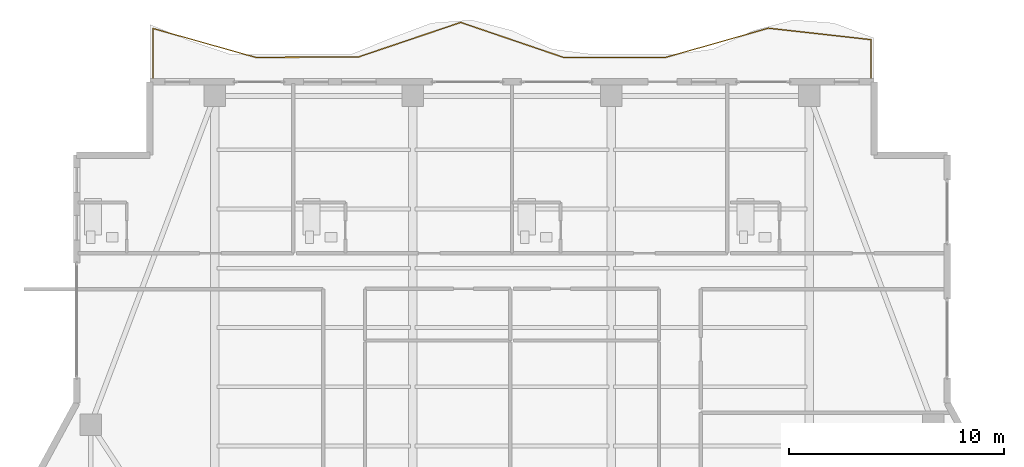
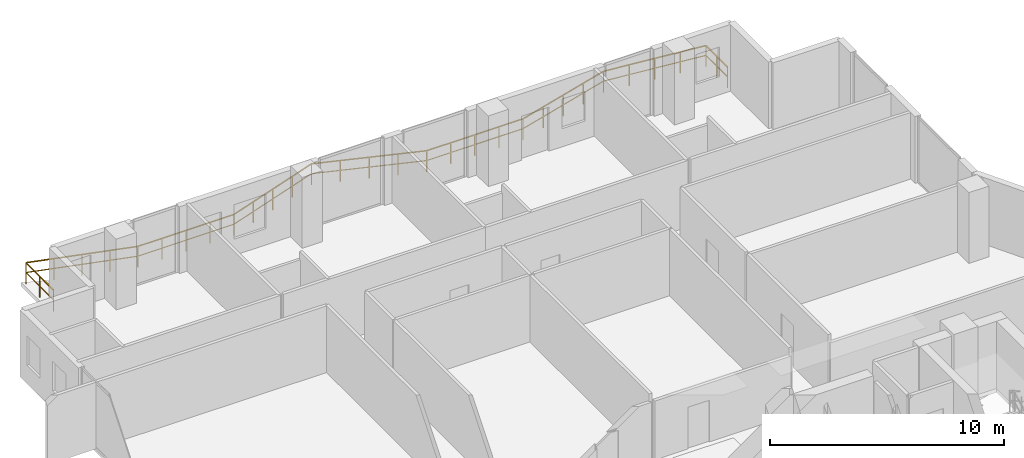
# One storey, part 24 of 25: 1 railing.
"""IFC4 building model written with IfcOpenShell, lengths in metres."""

from ifc_helpers import new_model, si_unit, direction, frame, origin, origin_2d, place, context, subcontext, project, spatial, rectangle, extrude, material, type_object, element, save


model = new_model("IFC4")

# Units and contexts
model_context = context("Model", 3, precision=1e-05, world=origin(), true_north=direction((0.0, 1.0)))
body_context = subcontext(model_context, "Body", "Model", "MODEL_VIEW")
ifc_project = project(units=[si_unit("LENGTHUNIT", "METRE"), si_unit("AREAUNIT", "SQUARE_METRE"), si_unit("VOLUMEUNIT", "CUBIC_METRE"), si_unit("PLANEANGLEUNIT", "RADIAN"), si_unit("MASSUNIT", "GRAM", prefix="KILO")], contexts=[model_context])

# Site, building, storey
site_placement = place(None, origin())
site = spatial("IfcSite", under=ifc_project, at=site_placement, CompositionType="ELEMENT")
building_placement = place(site_placement, origin())
building = spatial("IfcBuilding", under=site, at=building_placement, Name="Zuhayl Quay Hotel", CompositionType="ELEMENT")
storey_placement = place(building_placement, frame((0.0, 0.0, 250.75)))
storey = spatial("IfcBuildingStorey", under=building, at=storey_placement, Name="L63", CompositionType="ELEMENT", Elevation=250.75)

# Railing
ifc_material = material(Name="Anodised Aluminium and Laminated Glass", Category="aluminium")
railing_type = type_object("IfcRailingType", Name="RL_EXT_BAL_1100", PredefinedType="BALUSTRADE", material=ifc_material)
railing_placement = place(storey_placement, frame((-16.659912109375, 39.1201171875, 0.0)))
element("IfcRailing", 1, at=railing_placement, inside=storey, type_object=railing_type, Name="L63 Balcony and Terrace Guard GR_L63_BAL_N", PredefinedType="BALUSTRADE", context=body_context, shape_type="SweptSolid", body=[
    extrude(rectangle(XDim=0.048095703125, YDim=0.048095703125, at=origin_2d()), frame((0.0, 0.0, 1.09619140625), z_axis=(0.0, 1.0, 0.0), x_axis=(-1.0, 0.0, 0.0)), (0.0, 0.0, 1.0), 2.359375),
    extrude(rectangle(XDim=0.0361328125, YDim=0.0361328125, at=origin_2d()), frame((0.0, 0.0, 0.58251953125), z_axis=(0.0, 1.0, 0.0), x_axis=(-1.0, 0.0, 0.0)), (0.0, 0.0, 1.0), 2.359375),
    extrude(rectangle(XDim=0.048095703125, YDim=0.048095703125, at=origin_2d()), frame((0.0, 2.359375, 1.09619140625), z_axis=(0.96260629119, -0.270904278595, 0.0), x_axis=(0.270904278595, 0.96260629119, 0.0)), (0.0, 0.0, 1.0), 4.94482421875),
    extrude(rectangle(XDim=0.0361328125, YDim=0.0361328125, at=origin_2d()), frame((0.0, 2.359375, 0.58251953125), z_axis=(0.96260629119, -0.270904278595, 0.0), x_axis=(0.270904278595, 0.96260629119, 0.0)), (0.0, 0.0, 1.0), 4.94482421875),
    extrude(rectangle(XDim=0.048095703125, YDim=0.048095703125, at=origin_2d()), frame((4.760009765625, 1.019775390625, 1.09619140625), z_axis=(0.99999684191, 0.002513199223, 0.0), x_axis=(-0.002513199223, 0.99999684191, 0.0)), (0.0, 0.0, 1.0), 4.760009765625),
    extrude(rectangle(XDim=0.0361328125, YDim=0.0361328125, at=origin_2d()), frame((4.760009765625, 1.019775390625, 0.58251953125), z_axis=(0.99999684191, 0.002513199223, 0.0), x_axis=(-0.002513199223, 0.99999684191, 0.0)), (0.0, 0.0, 1.0), 4.760009765625),
    extrude(rectangle(XDim=0.048095703125, YDim=0.048095703125, at=origin_2d()), frame((9.52001953125, 1.03173828125, 1.09619140625), z_axis=(0.947392670827, 0.320073627878, 0.0), x_axis=(-0.320073627878, 0.947392670827, 0.0)), (0.0, 0.0, 1.0), 5.0244140625),
    extrude(rectangle(XDim=0.0361328125, YDim=0.0361328125, at=origin_2d()), frame((9.52001953125, 1.03173828125, 0.58251953125), z_axis=(0.947392670827, 0.320073627878, 0.0), x_axis=(-0.320073627878, 0.947392670827, 0.0)), (0.0, 0.0, 1.0), 5.0244140625),
    extrude(rectangle(XDim=0.048095703125, YDim=0.048095703125, at=origin_2d()), frame((14.280029296875, 2.639892578125, 1.09619140625), z_axis=(0.946663772923, -0.322223060993, 0.0), x_axis=(0.322223060993, 0.946663772923, 0.0)), (0.0, 0.0, 1.0), 5.02783203125),
    extrude(rectangle(XDim=0.0361328125, YDim=0.0361328125, at=origin_2d()), frame((14.280029296875, 2.639892578125, 0.58251953125), z_axis=(0.946663772923, -0.322223060993, 0.0), x_axis=(0.322223060993, 0.946663772923, 0.0)), (0.0, 0.0, 1.0), 5.02783203125),
    extrude(rectangle(XDim=0.048095703125, YDim=0.048095703125, at=origin_2d()), frame((19.039794921875, 1.019775390625, 1.09619140625), z_axis=(1.0, 0.0, 0.0), x_axis=(0.0, 1.0, 0.0)), (0.0, 0.0, 1.0), 4.760009765625),
    extrude(rectangle(XDim=0.0361328125, YDim=0.0361328125, at=origin_2d()), frame((19.039794921875, 1.019775390625, 0.58251953125), z_axis=(1.0, 0.0, 0.0), x_axis=(0.0, 1.0, 0.0)), (0.0, 0.0, 1.0), 4.760009765625),
    extrude(rectangle(XDim=0.048095703125, YDim=0.048095703125, at=origin_2d()), frame((23.7998046875, 1.019775390625, 1.09619140625), z_axis=(0.961960261695, 0.273189412166, 0.0), x_axis=(-0.273189412166, 0.961960261695, 0.0)), (0.0, 0.0, 1.0), 4.9482421875),
    extrude(rectangle(XDim=0.0361328125, YDim=0.0361328125, at=origin_2d()), frame((23.7998046875, 1.019775390625, 0.58251953125), z_axis=(0.961960261695, 0.273189412166, 0.0), x_axis=(-0.273189412166, 0.961960261695, 0.0)), (0.0, 0.0, 1.0), 4.9482421875),
    extrude(rectangle(XDim=0.048095703125, YDim=0.048095703125, at=origin_2d()), frame((28.559814453125, 2.37158203125, 1.09619140625), z_axis=(0.993840766918, -0.110817552817, 0.0), x_axis=(0.110817552817, 0.993840766918, 0.0)), (0.0, 0.0, 1.0), 4.78955078125),
    extrude(rectangle(XDim=0.0361328125, YDim=0.0361328125, at=origin_2d()), frame((28.559814453125, 2.37158203125, 0.58251953125), z_axis=(0.993840766918, -0.110817552817, 0.0), x_axis=(0.110817552817, 0.993840766918, 0.0)), (0.0, 0.0, 1.0), 4.78955078125),
    extrude(rectangle(XDim=0.048095703125, YDim=0.048095703125, at=origin_2d()), frame((33.31982421875, 1.8408203125, 1.09619140625), z_axis=(0.0, -1.0, 0.0), x_axis=(1.0, 0.0, 0.0)), (0.0, 0.0, 1.0), 1.8408203125),
    extrude(rectangle(XDim=0.0361328125, YDim=0.0361328125, at=origin_2d()), frame((33.31982421875, 1.8408203125, 0.58251953125), z_axis=(0.0, -1.0, 0.0), x_axis=(1.0, 0.0, 0.0)), (0.0, 0.0, 1.0), 1.8408203125),
    extrude(rectangle(XDim=0.0419921875, YDim=0.0419921875, at=origin_2d()), origin(), (0.0, 0.0, 1.0), 1.072021484375),
    extrude(rectangle(XDim=0.0419921875, YDim=0.0419921875, at=origin_2d()), frame((0.0, 1.1796875, 0.0)), (0.0, 0.0, 1.0), 1.072021484375),
    extrude(rectangle(XDim=0.0419921875, YDim=0.0419921875, at=origin_2d()), frame((0.0, 2.359375, 0.0)), (0.0, 0.0, 1.0), 1.072021484375),
    extrude(rectangle(XDim=0.0419921875, YDim=0.0419921875, at=origin_2d()), frame((1.18994140625, 2.0244140625, 0.0)), (0.0, 0.0, 1.0), 1.072021484375),
    extrude(rectangle(XDim=0.0419921875, YDim=0.0419921875, at=origin_2d()), frame((2.3798828125, 1.689453125, 0.0)), (0.0, 0.0, 1.0), 1.072021484375),
    extrude(rectangle(XDim=0.0419921875, YDim=0.0419921875, at=origin_2d()), frame((3.570068359375, 1.354736328125, 0.0)), (0.0, 0.0, 1.0), 1.072021484375),
    extrude(rectangle(XDim=0.0419921875, YDim=0.0419921875, at=origin_2d()), frame((4.760009765625, 1.019775390625, 0.0)), (0.0, 0.0, 1.0), 1.072021484375),
    extrude(rectangle(XDim=0.0419921875, YDim=0.0419921875, at=origin_2d()), frame((5.949951171875, 1.022705078125, 0.0)), (0.0, 0.0, 1.0), 1.072021484375),
    extrude(rectangle(XDim=0.0419921875, YDim=0.0419921875, at=origin_2d()), frame((7.14013671875, 1.02587890625, 0.0)), (0.0, 0.0, 1.0), 1.072021484375),
    extrude(rectangle(XDim=0.0419921875, YDim=0.0419921875, at=origin_2d()), frame((8.330078125, 1.02880859375, 0.0)), (0.0, 0.0, 1.0), 1.072021484375),
    extrude(rectangle(XDim=0.0419921875, YDim=0.0419921875, at=origin_2d()), frame((9.52001953125, 1.03173828125, 0.0)), (0.0, 0.0, 1.0), 1.072021484375),
    extrude(rectangle(XDim=0.0419921875, YDim=0.0419921875, at=origin_2d()), frame((10.7099609375, 1.433837890625, 0.0)), (0.0, 0.0, 1.0), 1.072021484375),
    extrude(rectangle(XDim=0.0419921875, YDim=0.0419921875, at=origin_2d()), frame((11.89990234375, 1.8359375, 0.0)), (0.0, 0.0, 1.0), 1.072021484375),
    extrude(rectangle(XDim=0.0419921875, YDim=0.0419921875, at=origin_2d()), frame((13.090087890625, 2.23779296875, 0.0)), (0.0, 0.0, 1.0), 1.072021484375),
    extrude(rectangle(XDim=0.0419921875, YDim=0.0419921875, at=origin_2d()), frame((14.280029296875, 2.639892578125, 0.0)), (0.0, 0.0, 1.0), 1.072021484375),
    extrude(rectangle(XDim=0.0419921875, YDim=0.0419921875, at=origin_2d()), frame((15.469970703125, 2.23486328125, 0.0)), (0.0, 0.0, 1.0), 1.072021484375),
    extrude(rectangle(XDim=0.0419921875, YDim=0.0419921875, at=origin_2d()), frame((16.659912109375, 1.829833984375, 0.0)), (0.0, 0.0, 1.0), 1.072021484375),
    extrude(rectangle(XDim=0.0419921875, YDim=0.0419921875, at=origin_2d()), frame((17.849853515625, 1.4248046875, 0.0)), (0.0, 0.0, 1.0), 1.072021484375),
    extrude(rectangle(XDim=0.0419921875, YDim=0.0419921875, at=origin_2d()), frame((19.039794921875, 1.019775390625, 0.0)), (0.0, 0.0, 1.0), 1.072021484375),
    extrude(rectangle(XDim=0.0419921875, YDim=0.0419921875, at=origin_2d()), frame((20.229736328125, 1.019775390625, 0.0)), (0.0, 0.0, 1.0), 1.072021484375),
    extrude(rectangle(XDim=0.0419921875, YDim=0.0419921875, at=origin_2d()), frame((21.419921875, 1.019775390625, 0.0)), (0.0, 0.0, 1.0), 1.072021484375),
    extrude(rectangle(XDim=0.0419921875, YDim=0.0419921875, at=origin_2d()), frame((22.60986328125, 1.019775390625, 0.0)), (0.0, 0.0, 1.0), 1.072021484375),
    extrude(rectangle(XDim=0.0419921875, YDim=0.0419921875, at=origin_2d()), frame((23.7998046875, 1.019775390625, 0.0)), (0.0, 0.0, 1.0), 1.072021484375),
    extrude(rectangle(XDim=0.0419921875, YDim=0.0419921875, at=origin_2d()), frame((24.98974609375, 1.357666015625, 0.0)), (0.0, 0.0, 1.0), 1.072021484375),
    extrude(rectangle(XDim=0.0419921875, YDim=0.0419921875, at=origin_2d()), frame((26.1796875, 1.69580078125, 0.0)), (0.0, 0.0, 1.0), 1.072021484375),
    extrude(rectangle(XDim=0.0419921875, YDim=0.0419921875, at=origin_2d()), frame((27.369873046875, 2.03369140625, 0.0)), (0.0, 0.0, 1.0), 1.072021484375),
    extrude(rectangle(XDim=0.0419921875, YDim=0.0419921875, at=origin_2d()), frame((28.559814453125, 2.37158203125, 0.0)), (0.0, 0.0, 1.0), 1.072021484375),
    extrude(rectangle(XDim=0.0419921875, YDim=0.0419921875, at=origin_2d()), frame((29.749755859375, 2.23876953125, 0.0)), (0.0, 0.0, 1.0), 1.072021484375),
    extrude(rectangle(XDim=0.0419921875, YDim=0.0419921875, at=origin_2d()), frame((30.93994140625, 2.106201171875, 0.0)), (0.0, 0.0, 1.0), 1.072021484375),
    extrude(rectangle(XDim=0.0419921875, YDim=0.0419921875, at=origin_2d()), frame((32.1298828125, 1.9736328125, 0.0)), (0.0, 0.0, 1.0), 1.072021484375),
    extrude(rectangle(XDim=0.0419921875, YDim=0.0419921875, at=origin_2d()), frame((33.31982421875, 1.8408203125, 0.0)), (0.0, 0.0, 1.0), 1.072021484375),
    extrude(rectangle(XDim=0.0419921875, YDim=0.0419921875, at=origin_2d()), frame((33.31982421875, 0.92041015625, 0.0)), (0.0, 0.0, 1.0), 1.072021484375),
    extrude(rectangle(XDim=0.0419921875, YDim=0.0419921875, at=origin_2d()), frame((33.31982421875, 0.0, 0.0)), (0.0, 0.0, 1.0), 1.072021484375),
])

save(model, "model.ifc")
